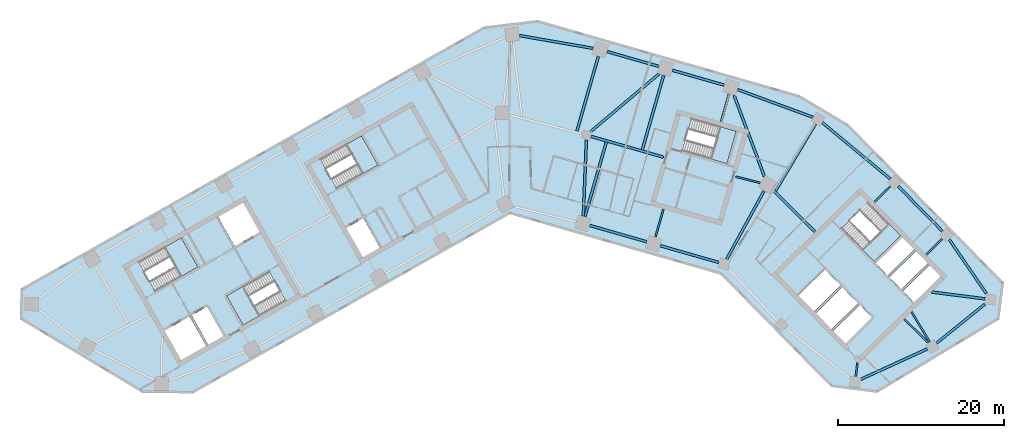
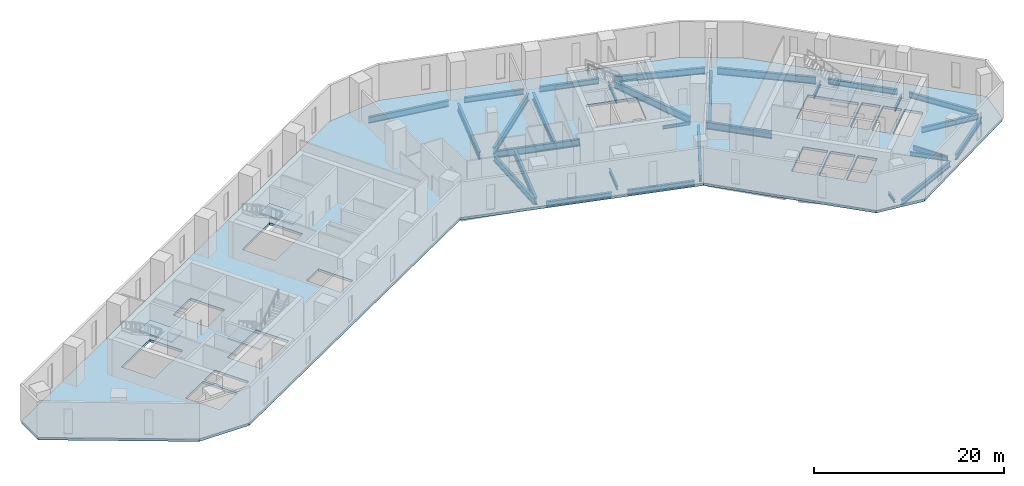
# One storey, part 2 of 10: 30 beams, 6 slabs, 5 elements without a shape of their own.
"""IFC4 building model written with IfcOpenShell, lengths in metres."""

from ifc_helpers import new_model, si_unit, direction, frame, origin, origin_2d, place, context, subcontext, project, spatial, polyline, i_section, outline, extrude, material, layer, layer_set, material_profile, profile_set, type_object, element, aggregate, save


model = new_model("IFC4")

# Units and contexts
model_context = context("Model", 3, precision=1e-05, world=origin(), true_north=direction((0.0, 1.0)))
body_context = subcontext(model_context, "Body", "Model", "MODEL_VIEW")
ifc_project = project(units=[si_unit("LENGTHUNIT", "METRE"), si_unit("AREAUNIT", "SQUARE_METRE"), si_unit("VOLUMEUNIT", "CUBIC_METRE"), si_unit("PLANEANGLEUNIT", "RADIAN"), si_unit("MASSUNIT", "GRAM", prefix="KILO")], contexts=[model_context])

# Site, building, storey
site_placement = place(None, origin())
site = spatial("IfcSite", under=ifc_project, at=site_placement, CompositionType="ELEMENT")
building_placement = place(site_placement, origin())
building = spatial("IfcBuilding", under=site, at=building_placement, Name="Binnacle Exchange Tower", CompositionType="ELEMENT")
storey_placement = place(building_placement, frame((0.0, 0.0, 61.5)))
storey = spatial("IfcBuildingStorey", under=building, at=storey_placement, Name="L12", CompositionType="ELEMENT", Elevation=61.5)

# Beams
ifc_material_1 = material(Name="Steel S355 (SHN355)", Category="steel")
ifc_material_profile_1 = material_profile(ifc_material_1, i_section(OverallWidth=0.300048828125, OverallDepth=0.699951171875, WebThickness=0.012939453125, FlangeThickness=0.02392578125, FilletRadius=0.028076171875, at=origin_2d()), Name="H 700x300x13x24")
ifc_profile_set_1 = profile_set([ifc_material_profile_1], Name="Steel S355 (SHN355)")
beam_type_1 = type_object("IfcBeamType", Name="Edge girder H 700x300x13x24 Steel S355 (SHN355)", PredefinedType="SPANDREL", material=ifc_profile_set_1)
beam_1_placement = place(storey_placement, frame((9.626708984375, 46.488037109375, -0.669921875), z_axis=(0.961260850036, -0.275640305812, 0.0), x_axis=(0.275640305812, 0.961260850036, 0.0)))
element("IfcBeam", 1, at=beam_1_placement, inside=storey, type_object=beam_type_1, Name="S:BM:edge:L12:030", PredefinedType="SPANDREL", context=body_context, shape_type="SweptSolid", body=[
    extrude(i_section(OverallWidth=0.300048828125, OverallDepth=0.699951171875, WebThickness=0.012939453125, FlangeThickness=0.02392578125, FilletRadius=0.028076171875, at=origin_2d()), origin(), (0.0, 0.0, 1.0), 7.120361328125),
])
beam_2_placement = place(storey_placement, frame((17.92919921875, 65.610595703125, -0.669921875), z_axis=(-0.961261624999, 0.275637603213, 0.0), x_axis=(-0.275637603213, -0.961261624999, 0.0)))
element("IfcBeam", 2, at=beam_2_placement, inside=storey, type_object=beam_type_1, Name="S:BM:edge:L12:032", PredefinedType="SPANDREL", context=body_context, shape_type="SweptSolid", body=[
    extrude(i_section(OverallWidth=0.300048828125, OverallDepth=0.699951171875, WebThickness=0.012939453125, FlangeThickness=0.02392578125, FilletRadius=0.028076171875, at=origin_2d()), origin(), (0.0, 0.0, 1.0), 6.472900390625),
])
beam_3_placement = place(storey_placement, frame((18.105224609375, 44.056884765625, -0.669921875), z_axis=(0.96126047873, -0.275641600691, 0.0), x_axis=(0.275641600691, 0.96126047873, 0.0)))
element("IfcBeam", 3, at=beam_3_placement, inside=storey, type_object=beam_type_1, Name="S:BM:edge:L12:033", PredefinedType="SPANDREL", context=body_context, shape_type="SweptSolid", body=[
    extrude(i_section(OverallWidth=0.300048828125, OverallDepth=0.699951171875, WebThickness=0.012939453125, FlangeThickness=0.02392578125, FilletRadius=0.028076171875, at=origin_2d()), origin(), (0.0, 0.0, 1.0), 7.320556640625),
])
beam_4_placement = place(storey_placement, frame((25.78564453125, 63.35791015625, -0.669921875), z_axis=(-0.961271618025, 0.275602751036, 0.0), x_axis=(-0.275602751036, -0.961271618025, 0.0)))
element("IfcBeam", 4, at=beam_4_placement, inside=storey, type_object=beam_type_1, Name="S:BM:edge:L12:034", PredefinedType="SPANDREL", context=body_context, shape_type="SweptSolid", body=[
    extrude(i_section(OverallWidth=0.300048828125, OverallDepth=0.699951171875, WebThickness=0.012939453125, FlangeThickness=0.02392578125, FilletRadius=0.028076171875, at=origin_2d()), origin(), (0.0, 0.0, 1.0), 6.472900390625),
])
beam_5_placement = place(storey_placement, frame((51.322265625, 32.343505859375, -0.669921875), z_axis=(0.777568489665, 0.628798253719, 0.0), x_axis=(-0.628798253719, 0.777568489665, 0.0)))
element("IfcBeam", 5, at=beam_5_placement, inside=storey, type_object=beam_type_1, Name="S:BM:edge:L12:040", PredefinedType="SPANDREL", context=body_context, shape_type="SweptSolid", body=[
    extrude(i_section(OverallWidth=0.300048828125, OverallDepth=0.699951171875, WebThickness=0.012939453125, FlangeThickness=0.02392578125, FilletRadius=0.028076171875, at=origin_2d()), origin(), (0.0, 0.0, 1.0), 7.428955078125),
])
beam_6_placement = place(storey_placement, frame((52.010986328125, 45.802978515625, -0.669921875), z_axis=(-0.700905226564, 0.713254417004, 0.0), x_axis=(-0.713254417004, -0.700905226564, 0.0)))
element("IfcBeam", 6, at=beam_6_placement, inside=storey, type_object=beam_type_1, Name="S:BM:edge:L12:041", PredefinedType="SPANDREL", context=body_context, shape_type="SweptSolid", body=[
    extrude(i_section(OverallWidth=0.300048828125, OverallDepth=0.699951171875, WebThickness=0.012939453125, FlangeThickness=0.02392578125, FilletRadius=0.028076171875, at=origin_2d()), origin(), (0.0, 0.0, 1.0), 7.57177734375),
])
beam_7_placement = place(storey_placement, frame((57.305419921875, 38.299072265625, -0.669921875), z_axis=(-0.566409202341, 0.82412415054, 0.0), x_axis=(-0.82412415054, -0.566409202341, 0.0)))
element("IfcBeam", 7, at=beam_7_placement, inside=storey, type_object=beam_type_1, Name="S:BM:edge:L12:042", PredefinedType="SPANDREL", context=body_context, shape_type="SweptSolid", body=[
    extrude(i_section(OverallWidth=0.300048828125, OverallDepth=0.699951171875, WebThickness=0.012939453125, FlangeThickness=0.02392578125, FilletRadius=0.028076171875, at=origin_2d()), origin(), (0.0, 0.0, 1.0), 7.8828125),
])
ifc_material_profile_2 = material_profile(ifc_material_1, i_section(OverallWidth=0.302001953125, OverallDepth=0.7080078125, WebThickness=0.014892578125, FlangeThickness=0.028076171875, FilletRadius=0.028076171875, at=origin_2d()), Name="H 708x302x15x28")
ifc_profile_set_2 = profile_set([ifc_material_profile_2], Name="Steel S355 (SHN355)")
beam_type_2 = type_object("IfcBeamType", Name="Edge girder H 708x302x15x28 Steel S355 (SHN355)", PredefinedType="SPANDREL", material=ifc_profile_set_2)
beam_8_placement = place(storey_placement, frame((42.215576171875, 27.99365234375, -0.674072265625), z_axis=(0.909179052108, 0.416405392866, 0.0), x_axis=(-0.416405392866, 0.909179052108, 0.0)))
element("IfcBeam", 8, at=beam_8_placement, inside=storey, type_object=beam_type_2, Name="S:BM:edge:L12:038", PredefinedType="SPANDREL", context=body_context, shape_type="SweptSolid", body=[
    extrude(i_section(OverallWidth=0.302001953125, OverallDepth=0.7080078125, WebThickness=0.014892578125, FlangeThickness=0.028076171875, FilletRadius=0.028076171875, at=origin_2d()), origin(), (0.0, 0.0, 1.0), 8.801025390625),
])
ifc_material_profile_3 = material_profile(ifc_material_1, i_section(OverallWidth=0.300048828125, OverallDepth=0.800048828125, WebThickness=0.013916015625, FlangeThickness=0.02587890625, FilletRadius=0.028076171875, at=origin_2d()), Name="H 800x300x14x26")
ifc_profile_set_3 = profile_set([ifc_material_profile_3], Name="Steel S355 (SHN355)")
beam_type_3 = type_object("IfcBeamType", Name="Edge girder H 800x300x14x26 Steel S355 (SHN355)", PredefinedType="SPANDREL", material=ifc_profile_set_3)
beam_9_placement = place(storey_placement, frame((10.047607421875, 67.77490234375, -0.719970703125), z_axis=(-0.985312460293, 0.17076110679, 0.0), x_axis=(-0.17076110679, -0.985312460293, 0.0)))
element("IfcBeam", 9, at=beam_9_placement, inside=storey, type_object=beam_type_3, Name="S:BM:edge:L12:031", PredefinedType="SPANDREL", context=body_context, shape_type="SweptSolid", body=[
    extrude(i_section(OverallWidth=0.300048828125, OverallDepth=0.800048828125, WebThickness=0.013916015625, FlangeThickness=0.02587890625, FilletRadius=0.028076171875, at=origin_2d()), origin(), (0.0, 0.0, 1.0), 9.005859375),
])
ifc_material_profile_4 = material_profile(ifc_material_1, i_section(OverallWidth=0.302001953125, OverallDepth=0.80810546875, WebThickness=0.01611328125, FlangeThickness=0.030029296875, FilletRadius=0.028076171875, at=origin_2d()), Name="H 808x302x16x30")
ifc_profile_set_4 = profile_set([ifc_material_profile_4], Name="Steel S355 (SHN355)")
beam_type_4 = type_object("IfcBeamType", Name="Edge girder H 808x302x16x30 Steel S355 (SHN355)", PredefinedType="SPANDREL", material=ifc_profile_set_4)
beam_10_placement = place(storey_placement, frame((36.464599609375, 59.490966796875, -0.72412109375), z_axis=(-0.938368148393, 0.345637408395, 0.0), x_axis=(-0.345637408395, -0.938368148393, 0.0)))
element("IfcBeam", 10, at=beam_10_placement, inside=storey, type_object=beam_type_4, Name="S:BM:edge:L12:037", PredefinedType="SPANDREL", context=body_context, shape_type="SweptSolid", body=[
    extrude(i_section(OverallWidth=0.302001953125, OverallDepth=0.80810546875, WebThickness=0.01611328125, FlangeThickness=0.030029296875, FilletRadius=0.028076171875, at=origin_2d()), origin(), (0.0, 0.0, 1.0), 9.6572265625),
])
ifc_material_profile_5 = material_profile(ifc_material_1, i_section(OverallWidth=0.300048828125, OverallDepth=0.89990234375, WebThickness=0.01611328125, FlangeThickness=0.028076171875, FilletRadius=0.028076171875, at=origin_2d()), Name="H 900x300x16x28")
ifc_profile_set_5 = profile_set([ifc_material_profile_5], Name="Steel S355 (SHN355)")
beam_type_5 = type_object("IfcBeamType", Name="Edge girder H 900x300x16x28 Steel S355 (SHN355)", PredefinedType="SPANDREL", material=ifc_profile_set_5)
beam_11_placement = place(storey_placement, frame((45.7451171875, 52.084228515625, -0.77001953125), z_axis=(-0.769906025895, 0.638157277864, 0.0), x_axis=(-0.638157277864, -0.769906025895, 0.0)))
element("IfcBeam", 11, at=beam_11_placement, inside=storey, type_object=beam_type_5, Name="S:BM:edge:L12:039", PredefinedType="SPANDREL", context=body_context, shape_type="SweptSolid", body=[
    extrude(i_section(OverallWidth=0.300048828125, OverallDepth=0.89990234375, WebThickness=0.01611328125, FlangeThickness=0.028076171875, FilletRadius=0.028076171875, at=origin_2d()), origin(), (0.0, 0.0, 1.0), 10.59033203125),
])
ifc_material_profile_6 = material_profile(ifc_material_1, i_section(OverallWidth=0.199951171875, OverallDepth=0.39990234375, WebThickness=0.008056640625, FlangeThickness=0.012939453125, FilletRadius=0.01611328125, at=origin_2d()), Name="H 400x200x8x13")
ifc_profile_set_6 = profile_set([ifc_material_profile_6], Name="Steel S355 (SHN355)")
beam_type_6 = type_object("IfcBeamType", Name="Floor beam H 400x200x8x13 Steel S355 (SHN355)", PredefinedType="BEAM", material=ifc_profile_set_6)
beam_12_placement = place(storey_placement, frame((41.601806640625, 28.319580078125, -0.52001953125), z_axis=(0.126197116971, 0.992005185303, 0.0), x_axis=(-0.992005185303, 0.126197116971, 0.0)))
element("IfcBeam", 12, at=beam_12_placement, inside=storey, type_object=beam_type_6, Name="S:BM:cross:L12:063", PredefinedType="BEAM", context=body_context, shape_type="SweptSolid", body=[
    extrude(i_section(OverallWidth=0.199951171875, OverallDepth=0.39990234375, WebThickness=0.008056640625, FlangeThickness=0.012939453125, FilletRadius=0.01611328125, at=origin_2d()), origin(), (0.0, 0.0, 1.0), 1.68115234375),
])
ifc_material_profile_7 = material_profile(ifc_material_1, i_section(OverallWidth=0.199951171875, OverallDepth=0.449951171875, WebThickness=0.009033203125, FlangeThickness=0.013916015625, FilletRadius=0.01806640625, at=origin_2d()), Name="H 450x200x9x14")
ifc_profile_set_7 = profile_set([ifc_material_profile_7], Name="Steel S355 (SHN355)")
beam_type_7 = type_object("IfcBeamType", Name="Floor beam H 450x200x9x14 Steel S355 (SHN355)", PredefinedType="BEAM", material=ifc_profile_set_7)
for number, where, z_axis, x_axis, name in (
    (13, (45.78466796875, 51.211669921875, -0.544921875), (-0.713299272232, -0.700859578113, 0.0), (0.700859578113, -0.713299272232, 0.0), "S:BM:cross:L12:064"),
    (14, (52.003173828125, 44.8837890625, -0.544921875), (-0.713254209224, -0.700905438004, 0.0), (0.700905438004, -0.713254209224, 0.0), "S:BM:cross:L12:066"),
):
    element("IfcBeam", number, at=place(storey_placement, frame(where, z_axis=z_axis, x_axis=x_axis)), inside=storey, type_object=beam_type_7, Name=name, PredefinedType="BEAM", context=body_context, shape_type="SweptSolid", body=[
        extrude(i_section(OverallWidth=0.199951171875, OverallDepth=0.449951171875, WebThickness=0.009033203125, FlangeThickness=0.013916015625, FilletRadius=0.01806640625, at=origin_2d()), origin(), (0.0, 0.0, 1.0), 2.70849609375),
    ])
ifc_material_profile_8 = material_profile(ifc_material_1, i_section(OverallWidth=0.200927734375, OverallDepth=0.506103515625, WebThickness=0.010986328125, FlangeThickness=0.01904296875, FilletRadius=0.02001953125, at=origin_2d()), Name="H 506x201x11x19")
ifc_profile_set_8 = profile_set([ifc_material_profile_8], Name="Steel S355 (SHN355)")
beam_type_8 = type_object("IfcBeamType", Name="Floor beam H 506x201x11x19 Steel S355 (SHN355)", PredefinedType="BEAM", material=ifc_profile_set_8)
for number, where, z_axis, x_axis, name in (
    (15, (17.5224609375, 45.108154296875, -0.572998046875), (0.275655468279, 0.961256502089, 0.0), (-0.961256502089, 0.275655468279, 0.0), "S:BM:cross:L12:058"),
    (16, (26.368408203125, 62.306396484375, -0.572998046875), (-0.275655468279, -0.961256502089, 0.0), (0.961256502089, -0.275655468279, 0.0), "S:BM:cross:L12:060"),
):
    element("IfcBeam", number, at=place(storey_placement, frame(where, z_axis=z_axis, x_axis=x_axis)), inside=storey, type_object=beam_type_8, Name=name, PredefinedType="BEAM", context=body_context, shape_type="SweptSolid", body=[
        extrude(i_section(OverallWidth=0.200927734375, OverallDepth=0.506103515625, WebThickness=0.010986328125, FlangeThickness=0.01904296875, FilletRadius=0.02001953125, at=origin_2d()), origin(), (0.0, 0.0, 1.0), 3.485107421875),
    ])
ifc_material_profile_9 = material_profile(ifc_material_1, i_section(OverallWidth=0.199951171875, OverallDepth=0.60009765625, WebThickness=0.010986328125, FlangeThickness=0.01708984375, FilletRadius=0.02197265625, at=origin_2d()), Name="H 600x200x11x17")
ifc_profile_set_9 = profile_set([ifc_material_profile_9], Name="Steel S355 (SHN355)")
beam_type_9 = type_object("IfcBeamType", Name="Floor beam H 600x200x11x17 Steel S355 (SHN355)", PredefinedType="BEAM", material=ifc_profile_set_9)
beam_13_placement = place(storey_placement, frame((50.477294921875, 32.488037109375, -0.6201171875), z_axis=(-0.515057466438, 0.857155648798, 0.0), x_axis=(-0.857155648798, -0.515057466438, 0.0)))
element("IfcBeam", 17, at=beam_13_placement, inside=storey, type_object=beam_type_9, Name="S:BM:cross:L12:065", PredefinedType="BEAM", context=body_context, shape_type="SweptSolid", body=[
    extrude(i_section(OverallWidth=0.199951171875, OverallDepth=0.60009765625, WebThickness=0.010986328125, FlangeThickness=0.01708984375, FilletRadius=0.02197265625, at=origin_2d()), origin(), (0.0, 0.0, 1.0), 4.2177734375),
])
ifc_material_profile_10 = material_profile(ifc_material_1, i_section(OverallWidth=0.300048828125, OverallDepth=0.699951171875, WebThickness=0.012939453125, FlangeThickness=0.02392578125, FilletRadius=0.028076171875, at=origin_2d()), Name="H 700x300x13x24")
ifc_profile_set_10 = profile_set([ifc_material_profile_10], Name="Steel S355 (SHN355)")
beam_type_10 = type_object("IfcBeamType", Name="Floor beam H 700x300x13x24 Steel S355 (SHN355)", PredefinedType="BEAM", material=ifc_profile_set_10)
beam_14_placement = place(storey_placement, frame((57.154296875, 37.6630859375, -0.669921875), z_axis=(-0.992006658356, 0.126185537116, 0.0), x_axis=(-0.126185537116, -0.992006658356, 0.0)))
element("IfcBeam", 18, at=beam_14_placement, inside=storey, type_object=beam_type_10, Name="S:BM:cross:L12:067", PredefinedType="BEAM", context=body_context, shape_type="SweptSolid", body=[
    extrude(i_section(OverallWidth=0.300048828125, OverallDepth=0.699951171875, WebThickness=0.012939453125, FlangeThickness=0.02392578125, FilletRadius=0.028076171875, at=origin_2d()), origin(), (0.0, 0.0, 1.0), 6.4814453125),
])
ifc_material_profile_11 = material_profile(ifc_material_1, i_section(OverallWidth=0.302978515625, OverallDepth=0.91796875, WebThickness=0.01904296875, FlangeThickness=0.037109375, FilletRadius=0.028076171875, at=origin_2d()), Name="H 918x303x19x37")
ifc_profile_set_11 = profile_set([ifc_material_profile_11], Name="Steel S355 (SHN355)")
beam_type_11 = type_object("IfcBeamType", Name="Floor beam H 918x303x19x37 Steel S355 (SHN355)", PredefinedType="BEAM", material=ifc_profile_set_11)
beam_15_placement = place(storey_placement, frame((9.043701171875, 47.539306640625, -0.779052734375), z_axis=(0.275646698205, 0.961259017003, 0.0), x_axis=(-0.961259017003, 0.275646698205, 0.0)))
element("IfcBeam", 19, at=beam_15_placement, inside=storey, type_object=beam_type_11, Name="S:BM:cross:L12:056", PredefinedType="BEAM", context=body_context, shape_type="SweptSolid", body=[
    extrude(i_section(OverallWidth=0.302978515625, OverallDepth=0.91796875, WebThickness=0.01904296875, FlangeThickness=0.037109375, FilletRadius=0.028076171875, at=origin_2d()), origin(), (0.0, 0.0, 1.0), 9.335205078125),
])
beam_16_placement = place(storey_placement, frame((10.65576171875, 66.81201171875, -0.779052734375), z_axis=(-0.275626703457, -0.961264750389, 0.0), x_axis=(0.961264750389, -0.275626703457, 0.0)))
element("IfcBeam", 20, at=beam_16_placement, inside=storey, type_object=beam_type_11, Name="S:BM:cross:L12:057", PredefinedType="BEAM", context=body_context, shape_type="SweptSolid", body=[
    extrude(i_section(OverallWidth=0.302978515625, OverallDepth=0.91796875, WebThickness=0.01904296875, FlangeThickness=0.037109375, FilletRadius=0.028076171875, at=origin_2d()), origin(), (0.0, 0.0, 1.0), 9.363525390625),
])
beam_17_placement = place(storey_placement, frame((18.511962890625, 64.55908203125, -0.779052734375), z_axis=(-0.275629461812, -0.961263959473, 0.0), x_axis=(0.961263959473, -0.275629461812, 0.0)))
element("IfcBeam", 21, at=beam_17_placement, inside=storey, type_object=beam_type_11, Name="S:BM:cross:L12:059", PredefinedType="BEAM", context=body_context, shape_type="SweptSolid", body=[
    extrude(i_section(OverallWidth=0.302978515625, OverallDepth=0.91796875, WebThickness=0.01904296875, FlangeThickness=0.037109375, FilletRadius=0.028076171875, at=origin_2d()), origin(), (0.0, 0.0, 1.0), 9.3349609375),
])
beam_18_placement = place(storey_placement, frame((36.752685546875, 58.703857421875, -0.779052734375), z_axis=(-0.511298188751, -0.859403375709, 0.0), x_axis=(0.859403375709, -0.511298188751, 0.0)))
element("IfcBeam", 22, at=beam_18_placement, inside=storey, type_object=beam_type_11, Name="S:BM:cross:L12:062", PredefinedType="BEAM", context=body_context, shape_type="SweptSolid", body=[
    extrude(i_section(OverallWidth=0.302978515625, OverallDepth=0.91796875, WebThickness=0.01904296875, FlangeThickness=0.037109375, FilletRadius=0.028076171875, at=origin_2d()), origin(), (0.0, 0.0, 1.0), 9.385986328125),
])
ifc_material_profile_12 = material_profile(ifc_material_1, i_section(OverallWidth=0.199951171875, OverallDepth=0.39990234375, WebThickness=0.008056640625, FlangeThickness=0.012939453125, FilletRadius=0.01611328125, at=origin_2d()), Name="H 400x200x8x13")
ifc_profile_set_12 = profile_set([ifc_material_profile_12], Name="Steel S355 (SHN355)")
beam_type_12 = type_object("IfcBeamType", Name="Spine girder H 400x200x8x13 Steel S355 (SHN355)", PredefinedType="BEAM", material=ifc_profile_set_12)
beam_19_placement = place(storey_placement, frame((27.17138671875, 52.35400390625, -0.52001953125), z_axis=(0.969359627701, -0.245645908136, 0.0), x_axis=(0.245645908136, 0.969359627701, 0.0)))
element("IfcBeam", 23, at=beam_19_placement, inside=storey, type_object=beam_type_12, Name="S:BM:spine:L12:010", PredefinedType="BEAM", context=body_context, shape_type="SweptSolid", body=[
    extrude(i_section(OverallWidth=0.199951171875, OverallDepth=0.39990234375, WebThickness=0.008056640625, FlangeThickness=0.012939453125, FilletRadius=0.01611328125, at=origin_2d()), origin(), (0.0, 0.0, 1.0), 3.046142578125),
])
ifc_material_profile_13 = material_profile(ifc_material_1, i_section(OverallWidth=0.200927734375, OverallDepth=0.506103515625, WebThickness=0.010986328125, FlangeThickness=0.01904296875, FilletRadius=0.02001953125, at=origin_2d()), Name="H 506x201x11x19")
ifc_profile_set_13 = profile_set([ifc_material_profile_13], Name="Steel S355 (SHN355)")
beam_type_13 = type_object("IfcBeamType", Name="Spine girder H 506x201x11x19 Steel S355 (SHN355)", PredefinedType="BEAM", material=ifc_profile_set_13)
beam_20_placement = place(storey_placement, frame((47.417236328125, 35.23095703125, -0.572998046875), z_axis=(0.717013275689, -0.697059511437, 0.0), x_axis=(0.697059511437, 0.717013275689, 0.0)))
element("IfcBeam", 24, at=beam_20_placement, inside=storey, type_object=beam_type_13, Name="S:BM:spine:L12:014", PredefinedType="BEAM", context=body_context, shape_type="SweptSolid", body=[
    extrude(i_section(OverallWidth=0.200927734375, OverallDepth=0.506103515625, WebThickness=0.010986328125, FlangeThickness=0.01904296875, FilletRadius=0.02001953125, at=origin_2d()), origin(), (0.0, 0.0, 1.0), 4.06201171875),
])
ifc_material_profile_14 = material_profile(ifc_material_1, i_section(OverallWidth=0.302001953125, OverallDepth=0.80810546875, WebThickness=0.01611328125, FlangeThickness=0.030029296875, FilletRadius=0.028076171875, at=origin_2d()), Name="H 808x302x16x30")
ifc_profile_set_14 = profile_set([ifc_material_profile_14], Name="Steel S355 (SHN355)")
beam_type_14 = type_object("IfcBeamType", Name="Spine girder H 808x302x16x30 Steel S355 (SHN355)", PredefinedType="BEAM", material=ifc_profile_set_14)
beam_21_placement = place(storey_placement, frame((9.218017578125, 56.78466796875, -0.72412109375), z_axis=(-0.040567083206, -0.999176817065, 0.0), x_axis=(0.999176817065, -0.040567083206, 0.0)))
element("IfcBeam", 25, at=beam_21_placement, inside=storey, type_object=beam_type_14, Name="S:BM:spine:L12:007", PredefinedType="BEAM", context=body_context, shape_type="SweptSolid", body=[
    extrude(i_section(OverallWidth=0.302001953125, OverallDepth=0.80810546875, WebThickness=0.01611328125, FlangeThickness=0.030029296875, FilletRadius=0.028076171875, at=origin_2d()), origin(), (0.0, 0.0, 1.0), 9.19580078125),
])
beam_22_placement = place(storey_placement, frame((30.580078125, 50.6396484375, -0.72412109375), z_axis=(-0.480716000085, -0.87687634662, 0.0), x_axis=(0.87687634662, -0.480716000085, 0.0)))
element("IfcBeam", 26, at=beam_22_placement, inside=storey, type_object=beam_type_14, Name="S:BM:spine:L12:011", PredefinedType="BEAM", context=body_context, shape_type="SweptSolid", body=[
    extrude(i_section(OverallWidth=0.302001953125, OverallDepth=0.80810546875, WebThickness=0.01611328125, FlangeThickness=0.030029296875, FilletRadius=0.028076171875, at=origin_2d()), origin(), (0.0, 0.0, 1.0), 9.34619140625),
])
ifc_material_profile_15 = material_profile(ifc_material_1, i_section(OverallWidth=0.302001953125, OverallDepth=0.912109375, WebThickness=0.01806640625, FlangeThickness=0.033935546875, FilletRadius=0.028076171875, at=origin_2d()), Name="H 912x302x18x34")
ifc_profile_set_15 = profile_set([ifc_material_profile_15], Name="Steel S355 (SHN355)")
beam_type_15 = type_object("IfcBeamType", Name="Spine girder H 912x302x18x34 Steel S355 (SHN355)", PredefinedType="BEAM", material=ifc_profile_set_15)
beam_23_placement = place(storey_placement, frame((9.74658203125, 57.77734375, -0.77587890625), z_axis=(0.764072930463, 0.64512987602, 0.0), x_axis=(-0.64512987602, 0.764072930463, 0.0)))
element("IfcBeam", 27, at=beam_23_placement, inside=storey, type_object=beam_type_15, Name="S:BM:spine:L12:008", PredefinedType="BEAM", context=body_context, shape_type="SweptSolid", body=[
    extrude(i_section(OverallWidth=0.302001953125, OverallDepth=0.912109375, WebThickness=0.01806640625, FlangeThickness=0.033935546875, FilletRadius=0.028076171875, at=origin_2d()), origin(), (0.0, 0.0, 1.0), 10.755615234375),
])
beam_24_placement = place(storey_placement, frame((30.614501953125, 52.389892578125, -0.77587890625), z_axis=(-0.350104624168, 0.936710602126, 0.0), x_axis=(-0.936710602126, -0.350104624168, 0.0)))
element("IfcBeam", 28, at=beam_24_placement, inside=storey, type_object=beam_type_15, Name="S:BM:spine:L12:012", PredefinedType="BEAM", context=body_context, shape_type="SweptSolid", body=[
    extrude(i_section(OverallWidth=0.302001953125, OverallDepth=0.912109375, WebThickness=0.01806640625, FlangeThickness=0.033935546875, FilletRadius=0.028076171875, at=origin_2d()), origin(), (0.0, 0.0, 1.0), 10.4013671875),
])
ifc_material_profile_16 = material_profile(ifc_material_1, i_section(OverallWidth=0.302978515625, OverallDepth=0.91796875, WebThickness=0.01904296875, FlangeThickness=0.037109375, FilletRadius=0.028076171875, at=origin_2d()), Name="H 918x303x19x37")
ifc_profile_set_16 = profile_set([ifc_material_profile_16], Name="Steel S355 (SHN355)")
beam_type_16 = type_object("IfcBeamType", Name="Spine girder H 918x303x19x37 Steel S355 (SHN355)", PredefinedType="BEAM", material=ifc_profile_set_16)
beam_25_placement = place(storey_placement, frame((9.76953125, 57.198486328125, -0.779052734375), z_axis=(0.961265329417, -0.275624684057, 0.0), x_axis=(0.275624684057, 0.961265329417, 0.0)))
element("IfcBeam", 29, at=beam_25_placement, inside=storey, type_object=beam_type_16, Name="S:BM:spine:L12:009", PredefinedType="BEAM", context=body_context, shape_type="SweptSolid", body=[
    extrude(i_section(OverallWidth=0.302978515625, OverallDepth=0.91796875, WebThickness=0.01904296875, FlangeThickness=0.037109375, FilletRadius=0.028076171875, at=origin_2d()), origin(), (0.0, 0.0, 1.0), 9.063232421875),
])
beam_26_placement = place(storey_placement, frame((31.60888671875, 50.773681640625, -0.779052734375), z_axis=(0.711013452478, -0.703178405809, 0.0), x_axis=(0.703178405809, 0.711013452478, 0.0)))
element("IfcBeam", 30, at=beam_26_placement, inside=storey, type_object=beam_type_16, Name="S:BM:spine:L12:013", PredefinedType="BEAM", context=body_context, shape_type="SweptSolid", body=[
    extrude(i_section(OverallWidth=0.302978515625, OverallDepth=0.91796875, WebThickness=0.01904296875, FlangeThickness=0.037109375, FilletRadius=0.028076171875, at=origin_2d()), origin(), (0.0, 0.0, 1.0), 7.166748046875),
])

# Slab
ifc_material_2 = material(Name="Concrete C35/45", Category="concrete")
ifc_layer_1 = layer(ifc_material_2, 0.320068359375)
ifc_layer_set_1 = layer_set([ifc_layer_1], Name="Floor slab 320 Concrete C35/45")
slab_type_1 = type_object("IfcSlabType", Name="Floor slab 320 Concrete C35/45", PredefinedType="FLOOR", material=ifc_layer_set_1)
slab_1_placement = place(storey_placement, frame((0.0, 0.0, -0.320068359375)))
element("IfcSlab", 31, at=slab_1_placement, inside=storey, type_object=slab_type_1, Name="S:SL:L12:01", PredefinedType="FLOOR", context=body_context, shape_type="SweptSolid", body=[
    extrude(outline(polyline([(59.262939453125, 39.5791015625), (58.716064453125, 35.280029296875), (44.14404296875, 26.5244140625), (38.69091796875, 27.21826171875), (25.43603515625, 40.706298828125), (0.0, 48.0), (-38.097900390625, 26.4453125), (-44.14404296875, 26.5244140625), (-58.716064453125, 35.280029296875), (-58.669921875, 38.80615234375), (-3.046142578125, 70.276611328125), (3.364501953125, 71.035400390625), (34.789794921875, 62.024169921875), (40.607421875, 58.56298828125), (59.262939453125, 39.5791015625)]), holes=[polyline([(-38.4794921875, 35.529296875), (-41.61279296875, 33.756591796875), (-39.544677734375, 30.10107421875), (-36.411376953125, 31.873779296875), (-38.4794921875, 35.529296875)]), polyline([(-34.322509765625, 33.0556640625), (-36.390625, 36.711181640625), (-38.21826171875, 35.677001953125), (-36.150146484375, 32.021484375), (-34.322509765625, 33.0556640625)]), polyline([(-34.040771484375, 38.04052734375), (-32.04638671875, 34.515625), (-26.9287109375, 37.4111328125), (-28.923095703125, 40.93603515625), (-34.040771484375, 38.04052734375)]), polyline([(-37.486572265625, 41.4912109375), (-39.480712890625, 45.01611328125), (-44.598388671875, 42.12060546875), (-42.604248046875, 38.595703125), (-37.486572265625, 41.4912109375)]), polyline([(-15.53076171875, 43.6875), (-17.598876953125, 47.343017578125), (-19.77490234375, 46.11181640625), (-17.70654296875, 42.456298828125), (-15.53076171875, 43.6875)]), polyline([(-29.914306640625, 45.775390625), (-31.982666015625, 49.430908203125), (-35.115966796875, 47.657958984375), (-33.047607421875, 44.00244140625), (-29.914306640625, 45.775390625)]), polyline([(-15.822509765625, 53.748046875), (-17.81689453125, 57.27294921875), (-22.760498046875, 54.47607421875), (-20.76611328125, 50.950927734375), (-15.822509765625, 53.748046875)]), polyline([(26.111328125, 53.9169921875), (27.227783203125, 57.810302734375), (21.864013671875, 59.348388671875), (20.74755859375, 55.455078125), (26.111328125, 53.9169921875)]), polyline([(40.268798828125, 32.201904296875), (43.549560546875, 35.426025390625), (42.07763671875, 36.923828125), (38.796875, 33.69970703125), (40.268798828125, 32.201904296875)]), polyline([(38.58642578125, 33.913818359375), (41.867431640625, 37.137939453125), (39.97509765625, 39.063720703125), (36.694091796875, 35.83935546875), (38.58642578125, 33.913818359375)]), polyline([(36.48388671875, 36.053466796875), (39.7646484375, 39.277587890625), (37.872314453125, 41.203369140625), (34.59130859375, 37.979248046875), (36.48388671875, 36.053466796875)]), polyline([(48.726806640625, 37.148681640625), (52.0078125, 40.372802734375), (50.577880859375, 41.827880859375), (47.296875, 38.603759765625), (48.726806640625, 37.148681640625)]), polyline([(47.086669921875, 38.817626953125), (50.36767578125, 42.0419921875), (48.944580078125, 43.48974609375), (45.663818359375, 40.265625), (47.086669921875, 38.817626953125)]), polyline([(45.45361328125, 40.4794921875), (48.734375, 43.703857421875), (47.3115234375, 45.151611328125), (44.030517578125, 41.927490234375), (45.45361328125, 40.4794921875)]), polyline([(43.8203125, 42.141357421875), (46.994384765625, 45.260498046875), (43.083251953125, 49.240478515625), (39.9091796875, 46.121337890625), (43.8203125, 42.141357421875)])]), origin(), (0.0, 0.0, 1.0), 0.320068359375),
])

# Stair, slab
stair_type = type_object("IfcStairType", Name="STAIR 28 RISERS 179", PredefinedType="HALF_TURN_STAIR", material=ifc_material_2)
stair_1_placement = place(storey_placement, origin())
stair_1 = element("IfcStair", 32, at=stair_1_placement, inside=storey, type_object=stair_type, Name="L12 Escape stair A1", PredefinedType="HALF_TURN_STAIR")
ifc_layer_2 = layer(ifc_material_2, 0.199951171875)
ifc_layer_set_2 = layer_set([ifc_layer_2], Name="STAIR LANDING 200")
slab_type_2 = type_object("IfcSlabType", Name="STAIR LANDING 200", PredefinedType="LANDING", material=ifc_layer_set_2)
slab_2_placement = place(storey_placement, frame((0.0, 0.0, 2.300048828125)))
slab_2 = element("IfcSlab", 33, at=slab_2_placement, type_object=slab_type_2, Name="STA1 landing 1", PredefinedType="LANDING", context=body_context, shape_type="SweptSolid", body=[
    extrude(outline(polyline([(-39.470947265625, 40.368408203125), (-37.486572265625, 41.4912109375), (-39.48095703125, 45.01611328125), (-41.46533203125, 43.893310546875), (-39.470947265625, 40.368408203125)])), origin(), (0.0, 0.0, 1.0), 0.199951171875),
])
aggregate(stair_1, [slab_2])

stair_2_placement = place(storey_placement, origin())
stair_2 = element("IfcStair", 34, at=stair_2_placement, inside=storey, type_object=stair_type, Name="L12 Escape stair A2", PredefinedType="HALF_TURN_STAIR")
slab_3_placement = place(storey_placement, frame((0.0, 0.0, 2.300048828125)))
slab_3 = element("IfcSlab", 35, at=slab_3_placement, type_object=slab_type_2, Name="STA2 landing 1", PredefinedType="LANDING", context=body_context, shape_type="SweptSolid", body=[
    extrude(outline(polyline([(-32.05615234375, 39.163330078125), (-34.040771484375, 38.04052734375), (-32.04638671875, 34.515625), (-30.06201171875, 35.638427734375), (-32.05615234375, 39.163330078125)])), origin(), (0.0, 0.0, 1.0), 0.199951171875),
])
aggregate(stair_2, [slab_3])

stair_3_placement = place(storey_placement, origin())
stair_3 = element("IfcStair", 36, at=stair_3_placement, inside=storey, type_object=stair_type, Name="L12 Escape stair B1", PredefinedType="HALF_TURN_STAIR")
slab_4_placement = place(storey_placement, frame((0.0, 0.0, 2.300048828125)))
slab_4 = element("IfcSlab", 37, at=slab_4_placement, type_object=slab_type_2, Name="STB1 landing 1", PredefinedType="LANDING", context=body_context, shape_type="SweptSolid", body=[
    extrude(outline(polyline([(42.4326171875, 43.5537109375), (43.8203125, 42.141357421875), (46.994384765625, 45.260498046875), (45.606689453125, 46.672607421875), (42.4326171875, 43.5537109375)])), origin(), (0.0, 0.0, 1.0), 0.199951171875),
])
aggregate(stair_3, [slab_4])

stair_4_placement = place(storey_placement, origin())
stair_4 = element("IfcStair", 38, at=stair_4_placement, inside=storey, type_object=stair_type, Name="L12 Escape stair C1", PredefinedType="HALF_TURN_STAIR")
slab_5_placement = place(storey_placement, frame((0.0, 0.0, 2.300048828125)))
slab_5 = element("IfcSlab", 39, at=slab_5_placement, type_object=slab_type_2, Name="STC1 landing 1", PredefinedType="LANDING", context=body_context, shape_type="SweptSolid", body=[
    extrude(outline(polyline([(-17.6328125, 52.7236328125), (-15.822509765625, 53.748046875), (-17.81689453125, 57.27294921875), (-19.627197265625, 56.248779296875), (-17.6328125, 52.7236328125)])), origin(), (0.0, 0.0, 1.0), 0.199951171875),
])
aggregate(stair_4, [slab_5])

stair_5_placement = place(storey_placement, origin())
stair_5 = element("IfcStair", 40, at=stair_5_placement, inside=storey, type_object=stair_type, Name="L12 Escape stair D1", PredefinedType="HALF_TURN_STAIR")
slab_6_placement = place(storey_placement, frame((0.0, 0.0, 2.300048828125)))
slab_6 = element("IfcSlab", 41, at=slab_6_placement, type_object=slab_type_2, Name="STD1 landing 1", PredefinedType="LANDING", context=body_context, shape_type="SweptSolid", body=[
    extrude(outline(polyline([(24.2080078125, 54.462890625), (26.111328125, 53.917236328125), (27.227783203125, 57.810302734375), (25.324462890625, 58.35595703125), (24.2080078125, 54.462890625)])), origin(), (0.0, 0.0, 1.0), 0.199951171875),
])
aggregate(stair_5, [slab_6])

save(model, "model.ifc")
